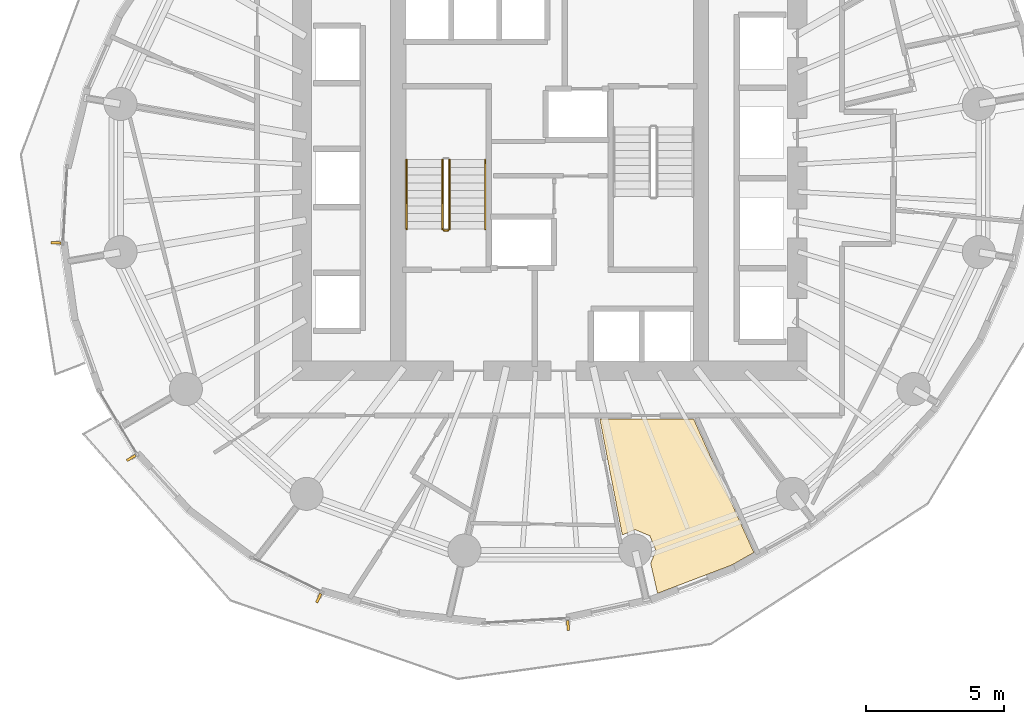
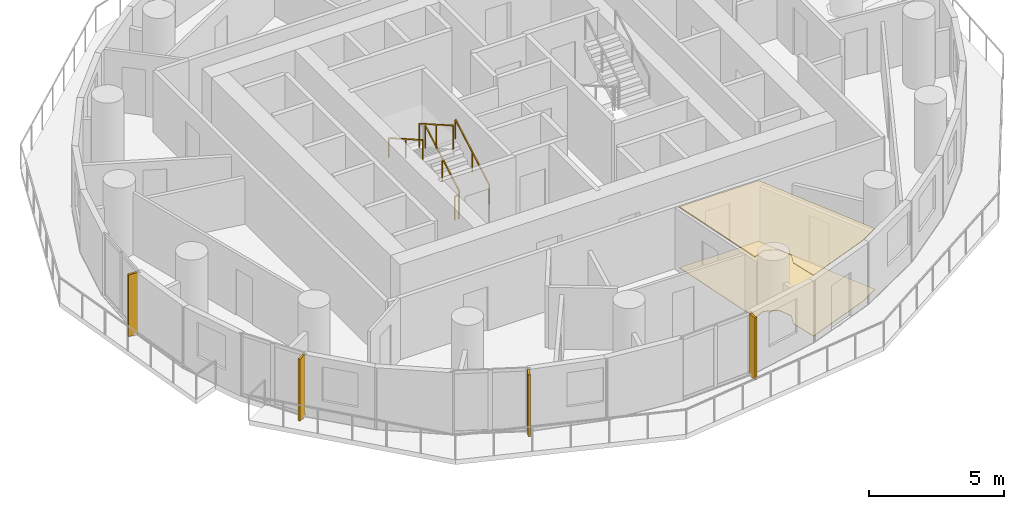
# One storey, part 11 of 15: 5 railings, 4 shading devices, 2 coverings.
"""IFC4 building model written with IfcOpenShell, lengths in metres."""

from ifc_helpers import new_model, si_unit, direction, frame, origin, origin_2d, place, context, subcontext, project, spatial, polyline, rectangle, outline, extrude, material, layer, layer_set, type_object, element, save


model = new_model("IFC4")

# Units and contexts
model_context = context("Model", 3, precision=1e-05, world=origin(), true_north=direction((0.0, 1.0)))
body_context = subcontext(model_context, "Body", "Model", "MODEL_VIEW")
ifc_project = project(units=[si_unit("LENGTHUNIT", "METRE"), si_unit("AREAUNIT", "SQUARE_METRE"), si_unit("VOLUMEUNIT", "CUBIC_METRE"), si_unit("PLANEANGLEUNIT", "RADIAN"), si_unit("MASSUNIT", "GRAM", prefix="KILO")], contexts=[model_context])

# Site, building, storey
site_placement = place(None, origin())
site = spatial("IfcSite", under=ifc_project, at=site_placement, CompositionType="ELEMENT")
building_placement = place(site_placement, origin())
building = spatial("IfcBuilding", under=site, at=building_placement, Name="Veldorim Arch Residences", CompositionType="ELEMENT")
storey_placement = place(building_placement, frame((0.0, 0.0, 109.280029296875)))
storey = spatial("IfcBuildingStorey", under=building, at=storey_placement, Name="L32", CompositionType="ELEMENT", Elevation=109.280029296875)

# Railings
ifc_material_1 = material(Name="Steel S355", Category="steel")
railing_type_1 = type_object("IfcRailingType", Name="Galvanised Steel Stair Safety Guardrail 1100", PredefinedType="GUARDRAIL", material=ifc_material_1)
railing_1_placement = place(storey_placement, frame((28.360107421875, 22.14990234375, 0.159912109375)))
element("IfcRailing", 1, at=railing_1_placement, inside=storey, type_object=railing_type_1, Name="L32 ST-1 stair guard 1", PredefinedType="GUARDRAIL", context=body_context, shape_type="SweptSolid", body=[
    extrude(rectangle(XDim=0.048095703125, YDim=0.048095703125, at=origin_2d()), frame((0.0, 0.0, 1.076171875), z_axis=(0.0, 0.868253494771, 0.496120820787), x_axis=(-1.0, 0.0, 0.0)), (0.0, 0.0, 1.0), 2.90234375),
    extrude(rectangle(XDim=0.0419921875, YDim=0.0419921875, at=origin_2d()), origin(), (0.0, 0.0, 1.0), 1.052001953125),
    extrude(rectangle(XDim=0.0419921875, YDim=0.0419921875, at=origin_2d()), frame((0.0, 1.260009765625, 0.719970703125)), (0.0, 0.0, 1.0), 1.052001953125),
    extrude(rectangle(XDim=0.0419921875, YDim=0.0419921875, at=origin_2d()), frame((0.0, 2.52001953125, 1.43994140625)), (0.0, 0.0, 1.0), 1.052001953125),
])
railing_2_placement = place(storey_placement, frame((28.10009765625, 24.669921875, 1.760009765625)))
element("IfcRailing", 2, at=railing_2_placement, inside=storey, type_object=railing_type_1, Name="L32 ST-1 stair guard 3", PredefinedType="GUARDRAIL", context=body_context, shape_type="SweptSolid", body=[
    extrude(rectangle(XDim=0.048095703125, YDim=0.048095703125, at=origin_2d()), frame((0.0, 0.0, 1.076171875), z_axis=(0.0, -0.868253494771, 0.496120820787), x_axis=(1.0, 0.0, 0.0)), (0.0, 0.0, 1.0), 2.90234375),
    extrude(rectangle(XDim=0.0419921875, YDim=0.0419921875, at=origin_2d()), origin(), (0.0, 0.0, 1.0), 1.052001953125),
    extrude(rectangle(XDim=0.0419921875, YDim=0.0419921875, at=origin_2d()), frame((0.0, -1.260009765625, 0.719970703125)), (0.0, 0.0, 1.0), 1.052001953125),
    extrude(rectangle(XDim=0.0419921875, YDim=0.0419921875, at=origin_2d()), frame((0.0, -2.52001953125, 1.43994140625)), (0.0, 0.0, 1.0), 1.052001953125),
])
railing_3_placement = place(storey_placement, frame((28.31005859375, 22.10009765625, 0.0)))
element("IfcRailing", 3, at=railing_3_placement, inside=storey, type_object=railing_type_1, Name="L32 ST-1 stair guard 4", PredefinedType="GUARDRAIL", context=body_context, shape_type="SweptSolid", body=[
    extrude(rectangle(XDim=0.048095703125, YDim=0.048095703125, at=origin_2d()), frame((0.0, 0.0, 1.076171875), z_axis=(-1.0, 0.0, 0.0), x_axis=(0.0, -1.0, 0.0)), (0.0, 0.0, 1.0), 0.16015625),
    extrude(rectangle(XDim=0.0419921875, YDim=0.0419921875, at=origin_2d()), origin(), (0.0, 0.0, 1.0), 1.052001953125),
    extrude(rectangle(XDim=0.0419921875, YDim=0.0419921875, at=origin_2d()), frame((-0.16015625, 0.0, 0.0)), (0.0, 0.0, 1.0), 1.052001953125),
])

# Coverings
ifc_material_2 = material(Name="Acoustic Gypsum & Mineral Fibre", Category="gypsum")
ifc_layer_1 = layer(ifc_material_2, 0.034912109375, Name="Perforated Acoustic Mineral-Fibre Ceiling 35")
ifc_layer_set_1 = layer_set([ifc_layer_1], Name="Acoustic Gypsum & Mineral Fibre")
covering_type_1 = type_object("IfcCoveringType", Name="Perforated Acoustic Mineral-Fibre Ceiling 35", PredefinedType="CEILING", material=ifc_layer_set_1)
covering_1_placement = place(storey_placement, frame((0.0, 0.0, 2.744873046875)))
element("IfcCovering", 4, at=covering_1_placement, inside=storey, type_object=covering_type_1, Name="L32 acoustic suspended ceiling 01", PredefinedType="CEILING", context=body_context, shape_type="SweptSolid", body=[
    extrude(outline(polyline([(33.820068359375, 15.25), (37.226318359375, 15.25), (39.418701171875, 10.39453125), (38.6162109375, 9.939697265625), (35.91943359375, 8.912109375), (35.669921875, 10.001708984375), (35.86181640625, 10.465087890625), (35.63916015625, 11.00244140625), (35.101806640625, 11.22509765625), (34.63818359375, 11.033203125), (33.820068359375, 15.25)])), origin(), (0.0, 0.0, 1.0), 0.03515625),
])
ifc_material_3 = material(Name="Porcelain Ceramic Tile", Category="ceramic")
ifc_layer_2 = layer(ifc_material_3, 0.02001953125, Name="Slip-Resistant Porcelain & Vinyl Floor Finish 20")
ifc_layer_set_2 = layer_set([ifc_layer_2], Name="Porcelain Ceramic Tile")
covering_type_2 = type_object("IfcCoveringType", Name="Slip-Resistant Porcelain & Vinyl Floor Finish 20", PredefinedType="FLOORING", material=ifc_layer_set_2)
covering_2_placement = place(storey_placement, origin())
element("IfcCovering", 5, at=covering_2_placement, inside=storey, type_object=covering_type_2, Name="L32 porcelain floor finish 01", PredefinedType="FLOORING", context=body_context, shape_type="SweptSolid", body=[
    extrude(outline(polyline([(33.820068359375, 15.25), (37.226318359375, 15.25), (39.418701171875, 10.39453125), (38.6162109375, 9.939697265625), (35.91943359375, 8.912109375), (35.669921875, 10.001708984375), (35.86181640625, 10.465087890625), (35.63916015625, 11.00244140625), (35.101806640625, 11.22509765625), (34.63818359375, 11.033203125), (33.820068359375, 15.25)])), origin(), (0.0, 0.0, 1.0), 0.02001953125),
])

# Railings
ifc_material_4 = material(Name="Stainless Steel", Category="steel")
railing_type_2 = type_object("IfcRailingType", Name="Tubular Steel Continuous Wall Handrail 900", PredefinedType="HANDRAIL", material=ifc_material_4)
railing_4_placement = place(storey_placement, frame((29.659912109375, 22.14990234375, 0.159912109375)))
element("IfcRailing", 6, at=railing_4_placement, inside=storey, type_object=railing_type_2, Name="L32 ST-1 stair handrail 1", PredefinedType="HANDRAIL", context=body_context, shape_type="SweptSolid", body=[
    extrude(rectangle(XDim=0.048095703125, YDim=0.048095703125, at=origin_2d()), frame((0.0, 0.0, 0.8759765625), z_axis=(0.0, 0.868253494771, 0.496120820787), x_axis=(-1.0, 0.0, 0.0)), (0.0, 0.0, 1.0), 2.90234375),
    extrude(rectangle(XDim=0.0419921875, YDim=0.0419921875, at=origin_2d()), origin(), (0.0, 0.0, 1.0), 0.851806640625),
    extrude(rectangle(XDim=0.0419921875, YDim=0.0419921875, at=origin_2d()), frame((0.0, 1.260009765625, 0.719970703125)), (0.0, 0.0, 1.0), 0.851806640625),
    extrude(rectangle(XDim=0.0419921875, YDim=0.0419921875, at=origin_2d()), frame((0.0, 2.52001953125, 1.43994140625)), (0.0, 0.0, 1.0), 0.851806640625),
])
railing_5_placement = place(storey_placement, frame((26.800048828125, 24.669921875, 1.760009765625)))
element("IfcRailing", 7, at=railing_5_placement, inside=storey, type_object=railing_type_2, Name="L32 ST-1 stair handrail 2", PredefinedType="HANDRAIL", context=body_context, shape_type="SweptSolid", body=[
    extrude(rectangle(XDim=0.048095703125, YDim=0.048095703125, at=origin_2d()), frame((0.0, 0.0, 0.8759765625), z_axis=(0.0, -0.868253494771, 0.496120820787), x_axis=(1.0, 0.0, 0.0)), (0.0, 0.0, 1.0), 2.90234375),
    extrude(rectangle(XDim=0.0419921875, YDim=0.0419921875, at=origin_2d()), origin(), (0.0, 0.0, 1.0), 0.851806640625),
    extrude(rectangle(XDim=0.0419921875, YDim=0.0419921875, at=origin_2d()), frame((0.0, -1.260009765625, 0.719970703125)), (0.0, 0.0, 1.0), 0.851806640625),
    extrude(rectangle(XDim=0.0419921875, YDim=0.0419921875, at=origin_2d()), frame((0.0, -2.52001953125, 1.43994140625)), (0.0, 0.0, 1.0), 0.851806640625),
])

# Shading devices
ifc_material_5 = material(Name="Terracotta Ceramic", Category="masonry")
ifc_layer_3 = layer(ifc_material_5, 0.090087890625, Name="Vertical Extruded Terracotta Baguette Sun-Shading Fin")
ifc_layer_set_3 = layer_set([ifc_layer_3], Name="Terracotta Ceramic")
shading_device_type = type_object("IfcShadingDeviceType", Name="Vertical Extruded Terracotta Baguette Sun-Shading Fin", PredefinedType="USERDEFINED", material=ifc_layer_set_3)
for number, where, z_axis, x_axis, name in (
    (8, (14.058837890625, 21.649169921875, 0.0), (0.0, 0.0, 1.0), (0.053033118368, 0.998592754007, 0.0), "L32 vertical terracotta sun-shading fin 16"),
    (9, (16.790283203125, 13.82763671875, 0.0), (0.0, 0.0, 1.0), (-0.514439533782, 0.857526656194, 0.0), "L32 vertical terracotta sun-shading fin 19"),
    (10, (23.606689453125, 8.73779296875, 0.0), (0.0, 0.0, 1.0), (-0.899481528961, 0.436958784165, 0.0), "L32 vertical terracotta sun-shading fin 22"),
    (11, (32.666015625, 7.74658203125, 0.0), (0.0, 0.0, 1.0), (-0.998479491627, -0.055124448298, 0.0), "L32 vertical terracotta sun-shading fin 25"),
):
    element("IfcShadingDevice", number, at=place(storey_placement, frame(where, z_axis=z_axis, x_axis=x_axis)), inside=storey, type_object=shading_device_type, Name=name, ObjectType="FIN", PredefinedType="USERDEFINED", context=body_context, shape_type="SweptSolid", body=[
        extrude(rectangle(XDim=0.090087890625, YDim=0.360107421875, at=origin_2d()), origin(), (0.0, 0.0, 1.0), 2.800048828125),
    ])

save(model, "model.ifc")
